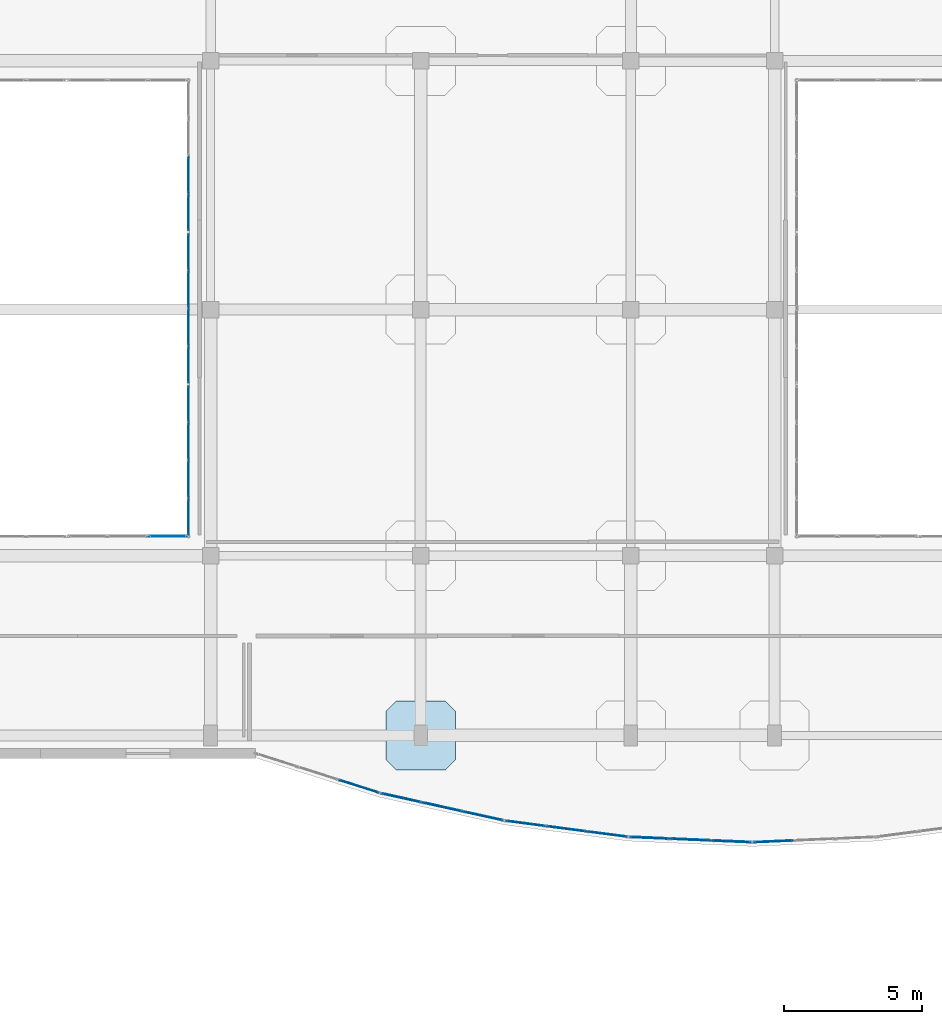
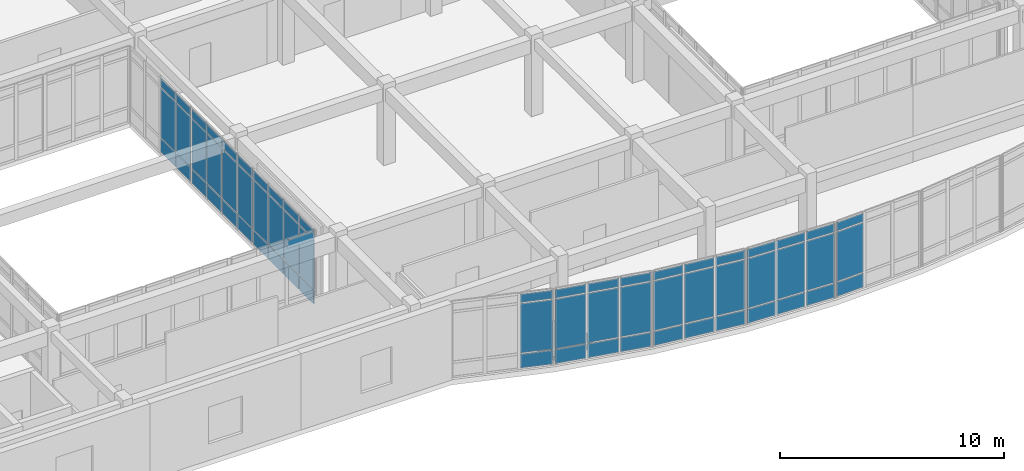
# One storey, part 111 of 142: 64 plates, 1 slab, 9 elements without a shape of their own.
"""IFC4 building model written with IfcOpenShell, lengths in metres."""

import ifcopenshell
import ifcopenshell.guid

model = None  # the IFC model being written
_history = None  # IfcOwnerHistory: only IFC2X3 demands one
_inside = {}  # id of a spatial element -> (the spatial element, [elements in it])
_under = {}  # id of a project, library or spatial element -> (it, [spatial elements below it])
_declared = {}  # id of a project -> (the project, [libraries it declares])
_typed = {}  # id of a type object -> (the type object, [elements of that type])
_made_of = {}  # id of a material, layer set ... -> (it, [elements and type objects made of it])


def new_model(schema):
    """Start an empty IFC model of exactly this schema.

    Asked for "IFC4X3", IfcOpenShell would pick the latest addendum, in which some entities
    have other attributes; the version numbers below select the first issue.
    IFC2X3 requires an IfcOwnerHistory on every rooted entity: one is made here for all.
    """
    global model, _history
    if schema == "IFC4X3":
        model = ifcopenshell.file(schema_version=(4, 3, 0, 0))
    else:
        model = ifcopenshell.file(schema=schema)
    _inside.clear()
    _under.clear()
    _declared.clear()
    _typed.clear()
    _made_of.clear()
    _history = None
    if model.schema == "IFC2X3":
        org = make("IfcOrganization", Name="unknown")
        user = make(
            "IfcPersonAndOrganization",
            ThePerson=make("IfcPerson", FamilyName="unknown"),
            TheOrganization=org,
        )
        app = make(
            "IfcApplication",
            ApplicationDeveloper=org,
            Version="unknown",
            ApplicationFullName="unknown",
            ApplicationIdentifier="unknown",
        )
        _history = make(
            "IfcOwnerHistory",
            OwningUser=user,
            OwningApplication=app,
            ChangeAction="ADDED",
            CreationDate=0,
        )
    return model


def make(cls, **values):
    """One entity of the class cls with the attributes given. An attribute that is None is left unset."""
    return model.create_entity(
        cls, **{name: value for name, value in values.items() if value is not None}
    )


def rooted(cls, **values):
    """An entity with a GlobalId (a new one), such as an element, a storey or a relation."""
    return make(cls, GlobalId=ifcopenshell.guid.new(), OwnerHistory=_history, **values)


def si_unit(unit_type, name, prefix=None):
    """IfcSIUnit, for example si_unit("LENGTHUNIT", "METRE", prefix="MILLI")."""
    return make("IfcSIUnit", UnitType=unit_type, Prefix=prefix, Name=name)


def assignment(units):
    """IfcUnitAssignment: the units of a project."""
    return None if units is None else make("IfcUnitAssignment", Units=units)


def point(xyz):
    """IfcCartesianPoint."""
    return None if xyz is None else make("IfcCartesianPoint", Coordinates=xyz)


def direction(xyz):
    """IfcDirection."""
    return None if xyz is None else make("IfcDirection", DirectionRatios=xyz)


def frame(location, z_axis=None, x_axis=None):
    """IfcAxis2Placement3D, a coordinate frame: its origin and axes. An axis left out is left unset."""
    return make(
        "IfcAxis2Placement3D",
        Location=point(location),
        Axis=direction(z_axis),
        RefDirection=direction(x_axis),
    )


def frame_2d(location, x_axis=None):
    """IfcAxis2Placement2D, a coordinate frame in the plane: its origin and x axis."""
    return make(
        "IfcAxis2Placement2D", Location=point(location), RefDirection=direction(x_axis)
    )


def origin():
    """The frame at (0, 0, 0) with its axes left unset."""
    return frame((0.0, 0.0, 0.0))


def origin_2d():
    """The frame at (0, 0) in the plane with its x axis left unset."""
    return frame_2d((0.0, 0.0))


def place(relative_to, where):
    """IfcLocalPlacement: puts the frame where relative to a parent placement (None: the world)."""
    return make(
        "IfcLocalPlacement", PlacementRelTo=relative_to, RelativePlacement=where
    )


def context(
    kind, dimensions, precision=None, world=None, true_north=None, identifier=None
):
    """IfcGeometricRepresentationContext, for example the 3D "Model" context."""
    return make(
        "IfcGeometricRepresentationContext",
        ContextIdentifier=identifier,
        ContextType=kind,
        CoordinateSpaceDimension=dimensions,
        Precision=precision,
        WorldCoordinateSystem=world,
        TrueNorth=true_north,
    )


def subcontext(parent, identifier, kind, view, scale=None):
    """IfcGeometricRepresentationSubContext, for example "Body" below "Model"."""
    return make(
        "IfcGeometricRepresentationSubContext",
        ContextIdentifier=identifier,
        ContextType=kind,
        ParentContext=parent,
        TargetScale=scale,
        TargetView=view,
    )


def project(units=None, contexts=None):
    """IfcProject with its units and contexts."""
    return rooted(
        "IfcProject",
        Name="project",
        RepresentationContexts=contexts,
        UnitsInContext=assignment(units),
    )


def spatial(cls, under=None, at=None, **own):
    """A site, building, storey or space (cls), placed at a placement, below another one or the project."""
    s = rooted(cls, ObjectPlacement=at, **own)
    if under is not None:
        _under.setdefault(under.id(), (under, []))[1].append(s)
    return s


def polyline(points):
    """IfcPolyline through the points."""
    return make("IfcPolyline", Points=[point(p) for p in points])


def profile(cls, at=None, kind="AREA", **sizes):
    """A parametric profile (cls). Its sizes go by their IFC names, for example OverallWidth=200.0."""
    return make(cls, ProfileType=kind, Position=at, **sizes)


def rectangle(**sizes):
    """IfcRectangleProfileDef."""
    return profile("IfcRectangleProfileDef", **sizes)


def outline(outer, holes=None, kind="AREA"):
    """IfcArbitraryClosedProfileDef: a profile drawn as a closed curve; with holes, ...WithVoids."""
    if holes is None:
        return make("IfcArbitraryClosedProfileDef", ProfileType=kind, OuterCurve=outer)
    return make(
        "IfcArbitraryProfileDefWithVoids",
        ProfileType=kind,
        OuterCurve=outer,
        InnerCurves=holes,
    )


def extrude(swept, where, along, depth):
    """IfcExtrudedAreaSolid: the profile swept, set in the frame where, extruded along a direction by depth."""
    return make(
        "IfcExtrudedAreaSolid",
        SweptArea=swept,
        Position=where,
        ExtrudedDirection=direction(along),
        Depth=depth,
    )


def shape(context_of_items, identifier, shape_type, items):
    """IfcShapeRepresentation: the items that make up one representation, for example the "Body"."""
    return make(
        "IfcShapeRepresentation",
        ContextOfItems=context_of_items,
        RepresentationIdentifier=identifier,
        RepresentationType=shape_type,
        Items=items,
    )


def material(Name=None, Category=None):
    """IfcMaterial."""
    return make("IfcMaterial", Name=Name, Category=Category)


def layer(
    of_material, thickness, ventilated=None, Name=None, Category=None, Priority=None
):
    """IfcMaterialLayer: one layer of a wall or slab, of a material (None: an air gap)."""
    return make(
        "IfcMaterialLayer",
        Material=of_material,
        LayerThickness=thickness,
        IsVentilated=ventilated,
        Name=Name,
        Category=Category,
        Priority=Priority,
    )


def layer_set(layers, Name=None):
    """IfcMaterialLayerSet."""
    return make("IfcMaterialLayerSet", MaterialLayers=layers, LayerSetName=Name)


def made_of(thing, what):
    """Note that an element or type object is made of a material, layer set ...; save() writes the relation."""
    if what is not None:
        _made_of.setdefault(what.id(), (what, []))[1].append(thing)
    return thing


def type_object(cls, material=None, **own):
    """A type object (cls), such as IfcWallType, which elements share."""
    return made_of(rooted(cls, **own), material)


def element(
    cls,
    number,
    at=None,
    inside=None,
    cuts=None,
    type_object=None,
    material=None,
    context=None,
    identifier="Body",
    shape_type=None,
    held_by="IfcProductDefinitionShape",
    body=None,
    shapes=None,
    **own,
):
    """One element of the class cls, such as IfcWall. Its Tag is "e" and its number.

    at: its placement. inside: the storey or other place that contains it. cuts: it is an
    opening in that element (IfcRelVoidsElement). A single representation is given by context,
    identifier, shape_type and body (its items); several are given by shapes. held_by: the class
    of the entity that holds the representations. save() writes the other relations.
    """
    e = rooted(cls, Tag="e%d" % number, ObjectPlacement=at, **own)
    if body is not None:
        shapes = [shape(context, identifier, shape_type, body)]
    if shapes is not None:
        e.Representation = make(held_by, Representations=shapes)
    if inside is not None:
        _inside.setdefault(inside.id(), (inside, []))[1].append(e)
    if cuts is not None:
        rooted(
            "IfcRelVoidsElement", RelatingBuildingElement=cuts, RelatedOpeningElement=e
        )
    if type_object is not None:
        _typed.setdefault(type_object.id(), (type_object, []))[1].append(e)
    return made_of(e, material)


def aggregate(whole, parts):
    """IfcRelAggregates: a whole, such as a stair, and the parts it consists of."""
    return rooted("IfcRelAggregates", RelatingObject=whole, RelatedObjects=parts)


def save(model, path):
    """Write the relations noted so far, then the file.

    IfcRelAggregates (storeys below a building ...), IfcRelContainedInSpatialStructure (elements
    in a storey), IfcRelDefinesByType, IfcRelAssociatesMaterial and IfcRelDeclares: one each for
    every whole, place, type object, material and project.
    """
    for whole, parts in _under.values():
        aggregate(whole, parts)
    for where, things in _inside.values():
        rooted(
            "IfcRelContainedInSpatialStructure",
            RelatedElements=things,
            RelatingStructure=where,
        )
    for kind, things in _typed.values():
        rooted("IfcRelDefinesByType", RelatedObjects=things, RelatingType=kind)
    for what, things in _made_of.values():
        rooted("IfcRelAssociatesMaterial", RelatedObjects=things, RelatingMaterial=what)
    for by, libraries in _declared.values():
        rooted("IfcRelDeclares", RelatingContext=by, RelatedDefinitions=libraries)
    model.write(path)


model = new_model("IFC4")

# Units and contexts
model_context = context("Model", 3, precision=1e-05, world=origin(), true_north=direction((0.0, 1.0)))
body_context = subcontext(model_context, "Body", "Model", "MODEL_VIEW")
ifc_project = project(units=[si_unit("LENGTHUNIT", "METRE"), si_unit("AREAUNIT", "SQUARE_METRE"), si_unit("VOLUMEUNIT", "CUBIC_METRE"), si_unit("PLANEANGLEUNIT", "RADIAN"), si_unit("MASSUNIT", "GRAM", prefix="KILO")], contexts=[model_context])

# Site, building, storey
site_placement = place(None, origin())
site = spatial("IfcSite", under=ifc_project, at=site_placement, CompositionType="ELEMENT")
building_placement = place(site_placement, origin())
building = spatial("IfcBuilding", under=site, at=building_placement, Name="Valcora Specialist Clinic", CompositionType="ELEMENT")
storey_placement = place(building_placement, frame((0.0, 0.0, 5.10009765625)))
storey = spatial("IfcBuildingStorey", under=building, at=storey_placement, Name="L01", CompositionType="ELEMENT", Elevation=5.10009765625)

# Curtain wall, plates
ifc_material_1 = material(Name="Anodized Bronze Aluminium 6063-T6", Category="aluminium")
ifc_layer_1 = layer(ifc_material_1, 0.175048828125)
ifc_layer_set_1 = layer_set([ifc_layer_1], Name="Anodized Bronze Aluminium 6063-T6")
curtain_wall_type_1 = type_object("IfcCurtainWallType", Name="TY-CW-ARC44", PredefinedType="NOTDEFINED", material=ifc_layer_set_1)
curtain_wall_1_placement = place(storey_placement, origin())
curtain_wall_1 = element("IfcCurtainWall", 1, at=curtain_wall_1_placement, inside=storey, type_object=curtain_wall_type_1, Name="Curtain wall CW-L01-056", PredefinedType="NOTDEFINED")
ifc_material_2 = material(Name="Low-E Laminated Insulating Glass", Category="glass")
ifc_layer_2 = layer(ifc_material_2, 0.028076171875)
ifc_layer_set_2 = layer_set([ifc_layer_2], Name="Low-E Laminated Insulating Glass")
plate_type_1 = type_object("IfcPlateType", Name="TY-CWP-GLZ28", PredefinedType="CURTAIN_PANEL", material=ifc_layer_set_2)
plate_1_placement = place(storey_placement, frame((111.1640625, 70.96826171875, 0.88232421875), z_axis=(0.0, 0.0, 1.0), x_axis=(-0.999061821291, -0.043306780525, 0.0)))
plate_1 = element("IfcPlate", 2, at=plate_1_placement, type_object=plate_type_1, Name="CW-ARC-44 panel 3.2", PredefinedType="CURTAIN_PANEL", context=body_context, shape_type="SweptSolid", body=[
    extrude(rectangle(XDim=1.399658203125, YDim=0.028076171875, at=origin_2d()), origin(), (0.0, 0.0, 1.0), 2.679931640625),
])
plate_2_placement = place(storey_placement, frame((111.1640625, 70.96826171875, 3.62744140625), z_axis=(0.0, 0.0, 1.0), x_axis=(-0.999061821291, -0.043306780525, 0.0)))
plate_2 = element("IfcPlate", 3, at=plate_2_placement, type_object=plate_type_1, Name="CW-ARC-44 panel 3.3", PredefinedType="CURTAIN_PANEL", context=body_context, shape_type="SweptSolid", body=[
    extrude(rectangle(XDim=1.399658203125, YDim=0.028076171875, at=origin_2d()), origin(), (0.0, 0.0, 1.0), 0.452392578125),
])

curtain_wall_2_placement = place(storey_placement, origin())
curtain_wall_2 = element("IfcCurtainWall", 4, at=curtain_wall_2_placement, inside=storey, type_object=curtain_wall_type_1, Name="Curtain wall CW-L01-058", PredefinedType="NOTDEFINED")
plate_3_placement = place(storey_placement, frame((105.149169921875, 71.229736328125, 0.88232421875), z_axis=(0.0, 0.0, 1.0), x_axis=(-0.991514060421, 0.129999492259, 0.0)))
plate_3 = element("IfcPlate", 5, at=plate_3_placement, type_object=plate_type_1, Name="CW-ARC-44 panel 1.2", PredefinedType="CURTAIN_PANEL", context=body_context, shape_type="SweptSolid", body=[
    extrude(rectangle(XDim=1.410888671875, YDim=0.028076171875, at=origin_2d()), origin(), (0.0, 0.0, 1.0), 2.679931640625),
])
plate_4_placement = place(storey_placement, frame((105.149169921875, 71.229736328125, 3.62744140625), z_axis=(0.0, 0.0, 1.0), x_axis=(-0.991514060421, 0.129999492259, 0.0)))
plate_4 = element("IfcPlate", 6, at=plate_4_placement, type_object=plate_type_1, Name="CW-ARC-44 panel 1.3", PredefinedType="CURTAIN_PANEL", context=body_context, shape_type="SweptSolid", body=[
    extrude(rectangle(XDim=1.410888671875, YDim=0.028076171875, at=origin_2d()), origin(), (0.0, 0.0, 1.0), 0.452392578125),
])
plate_5_placement = place(storey_placement, frame((103.66943359375, 71.423828125, 0.88232421875), z_axis=(0.0, 0.0, 1.0), x_axis=(-0.991514060421, 0.129999492259, 0.0)))
plate_5 = element("IfcPlate", 7, at=plate_5_placement, type_object=plate_type_1, Name="CW-ARC-44 panel 2.2", PredefinedType="CURTAIN_PANEL", context=body_context, shape_type="SweptSolid", body=[
    extrude(rectangle(XDim=1.443359375, YDim=0.028076171875, at=origin_2d()), origin(), (0.0, 0.0, 1.0), 2.679931640625),
])
plate_6_placement = place(storey_placement, frame((103.66943359375, 71.423828125, 3.62744140625), z_axis=(0.0, 0.0, 1.0), x_axis=(-0.991514060421, 0.129999492259, 0.0)))
plate_6 = element("IfcPlate", 8, at=plate_6_placement, type_object=plate_type_1, Name="CW-ARC-44 panel 2.3", PredefinedType="CURTAIN_PANEL", context=body_context, shape_type="SweptSolid", body=[
    extrude(rectangle(XDim=1.443359375, YDim=0.028076171875, at=origin_2d()), origin(), (0.0, 0.0, 1.0), 0.452392578125),
])
plate_7_placement = place(storey_placement, frame((102.18994140625, 71.61767578125, 0.88232421875), z_axis=(0.0, 0.0, 1.0), x_axis=(-0.991514060421, 0.129999492259, 0.0)))
plate_7 = element("IfcPlate", 9, at=plate_7_placement, type_object=plate_type_1, Name="CW-ARC-44 panel 3.2", PredefinedType="CURTAIN_PANEL", context=body_context, shape_type="SweptSolid", body=[
    extrude(rectangle(XDim=1.410888671875, YDim=0.028076171875, at=origin_2d()), origin(), (0.0, 0.0, 1.0), 2.679931640625),
])
plate_8_placement = place(storey_placement, frame((102.18994140625, 71.61767578125, 3.62744140625), z_axis=(0.0, 0.0, 1.0), x_axis=(-0.991514060421, 0.129999492259, 0.0)))
plate_8 = element("IfcPlate", 10, at=plate_8_placement, type_object=plate_type_1, Name="CW-ARC-44 panel 3.3", PredefinedType="CURTAIN_PANEL", context=body_context, shape_type="SweptSolid", body=[
    extrude(rectangle(XDim=1.410888671875, YDim=0.028076171875, at=origin_2d()), origin(), (0.0, 0.0, 1.0), 0.452392578125),
])

curtain_wall_3_placement = place(storey_placement, origin())
curtain_wall_3 = element("IfcCurtainWall", 11, at=curtain_wall_3_placement, inside=storey, type_object=curtain_wall_type_1, Name="Curtain wall CW-L01-060", PredefinedType="NOTDEFINED")
plate_9_placement = place(storey_placement, frame((96.1708984375, 72.95751953125, 0.88232421875), z_axis=(0.0, 0.0, 1.0), x_axis=(-0.952916356972, 0.303233270958, 0.0)))
plate_9 = element("IfcPlate", 12, at=plate_9_placement, type_object=plate_type_1, Name="CW-ARC-44 panel 1.2", PredefinedType="CURTAIN_PANEL", context=body_context, shape_type="SweptSolid", body=[
    extrude(rectangle(XDim=1.482177734375, YDim=0.028076171875, at=origin_2d()), origin(), (0.0, 0.0, 1.0), 2.679931640625),
])
plate_10_placement = place(storey_placement, frame((96.1708984375, 72.95751953125, 3.62744140625), z_axis=(0.0, 0.0, 1.0), x_axis=(-0.952916356972, 0.303233270958, 0.0)))
plate_10 = element("IfcPlate", 13, at=plate_10_placement, type_object=plate_type_1, Name="CW-ARC-44 panel 1.3", PredefinedType="CURTAIN_PANEL", context=body_context, shape_type="SweptSolid", body=[
    extrude(rectangle(XDim=1.482177734375, YDim=0.028076171875, at=origin_2d()), origin(), (0.0, 0.0, 1.0), 0.452392578125),
])

ifc_layer_3 = layer(ifc_material_1, 0.175048828125)
ifc_layer_set_3 = layer_set([ifc_layer_3], Name="Anodized Bronze Aluminium 6063-T6")
curtain_wall_type_2 = type_object("IfcCurtainWallType", Name="TY-CW-CRT15", PredefinedType="NOTDEFINED", material=ifc_layer_set_3)
curtain_wall_4_placement = place(storey_placement, origin())
curtain_wall_4 = element("IfcCurtainWall", 14, at=curtain_wall_4_placement, inside=storey, type_object=curtain_wall_type_2, Name="Curtain wall CW-L01-064", PredefinedType="NOTDEFINED")
plate_11_placement = place(storey_placement, frame((90.0, 82.703857421875, 0.88232421875), z_axis=(0.0, 0.0, 1.0), x_axis=(0.0, 1.0, 0.0)))
plate_11 = element("IfcPlate", 15, at=plate_11_placement, type_object=plate_type_1, Name="CW-CRT-15 panel 1.2", PredefinedType="CURTAIN_PANEL", context=body_context, shape_type="SweptSolid", body=[
    extrude(rectangle(XDim=1.277587890625, YDim=0.028076171875, at=origin_2d()), origin(), (0.0, 0.0, 1.0), 2.679931640625),
])
plate_12_placement = place(storey_placement, frame((90.0, 82.703857421875, 3.62744140625), z_axis=(0.0, 0.0, 1.0), x_axis=(0.0, 1.0, 0.0)))
plate_12 = element("IfcPlate", 16, at=plate_12_placement, type_object=plate_type_1, Name="CW-CRT-15 panel 1.3", PredefinedType="CURTAIN_PANEL", context=body_context, shape_type="SweptSolid", body=[
    extrude(rectangle(XDim=1.277587890625, YDim=0.028076171875, at=origin_2d()), origin(), (0.0, 0.0, 1.0), 0.452392578125),
])
plate_13_placement = place(storey_placement, frame((90.0, 84.0625, 0.88232421875), z_axis=(0.0, 0.0, 1.0), x_axis=(0.0, 1.0, 0.0)))
plate_13 = element("IfcPlate", 17, at=plate_13_placement, type_object=plate_type_1, Name="CW-CRT-15 panel 2.2", PredefinedType="CURTAIN_PANEL", context=body_context, shape_type="SweptSolid", body=[
    extrude(rectangle(XDim=1.31005859375, YDim=0.028076171875, at=origin_2d()), origin(), (0.0, 0.0, 1.0), 2.679931640625),
])
plate_14_placement = place(storey_placement, frame((90.0, 84.0625, 3.62744140625), z_axis=(0.0, 0.0, 1.0), x_axis=(0.0, 1.0, 0.0)))
plate_14 = element("IfcPlate", 18, at=plate_14_placement, type_object=plate_type_1, Name="CW-CRT-15 panel 2.3", PredefinedType="CURTAIN_PANEL", context=body_context, shape_type="SweptSolid", body=[
    extrude(rectangle(XDim=1.31005859375, YDim=0.028076171875, at=origin_2d()), origin(), (0.0, 0.0, 1.0), 0.452392578125),
])
plate_15_placement = place(storey_placement, frame((90.0, 85.4375, 0.88232421875), z_axis=(0.0, 0.0, 1.0), x_axis=(0.0, 1.0, 0.0)))
plate_15 = element("IfcPlate", 19, at=plate_15_placement, type_object=plate_type_1, Name="CW-CRT-15 panel 3.2", PredefinedType="CURTAIN_PANEL", context=body_context, shape_type="SweptSolid", body=[
    extrude(rectangle(XDim=1.31005859375, YDim=0.028076171875, at=origin_2d()), origin(), (0.0, 0.0, 1.0), 2.679931640625),
])
plate_16_placement = place(storey_placement, frame((90.0, 85.4375, 3.62744140625), z_axis=(0.0, 0.0, 1.0), x_axis=(0.0, 1.0, 0.0)))
plate_16 = element("IfcPlate", 20, at=plate_16_placement, type_object=plate_type_1, Name="CW-CRT-15 panel 3.3", PredefinedType="CURTAIN_PANEL", context=body_context, shape_type="SweptSolid", body=[
    extrude(rectangle(XDim=1.31005859375, YDim=0.028076171875, at=origin_2d()), origin(), (0.0, 0.0, 1.0), 0.452392578125),
])
plate_17_placement = place(storey_placement, frame((90.0, 86.796142578125, 0.88232421875), z_axis=(0.0, 0.0, 1.0), x_axis=(0.0, 1.0, 0.0)))
plate_17 = element("IfcPlate", 21, at=plate_17_placement, type_object=plate_type_1, Name="CW-CRT-15 panel 4.2", PredefinedType="CURTAIN_PANEL", context=body_context, shape_type="SweptSolid", body=[
    extrude(rectangle(XDim=1.277587890625, YDim=0.028076171875, at=origin_2d()), origin(), (0.0, 0.0, 1.0), 2.679931640625),
])
plate_18_placement = place(storey_placement, frame((90.0, 86.796142578125, 3.62744140625), z_axis=(0.0, 0.0, 1.0), x_axis=(0.0, 1.0, 0.0)))
plate_18 = element("IfcPlate", 22, at=plate_18_placement, type_object=plate_type_1, Name="CW-CRT-15 panel 4.3", PredefinedType="CURTAIN_PANEL", context=body_context, shape_type="SweptSolid", body=[
    extrude(rectangle(XDim=1.277587890625, YDim=0.028076171875, at=origin_2d()), origin(), (0.0, 0.0, 1.0), 0.452392578125),
])

curtain_wall_5_placement = place(storey_placement, origin())
curtain_wall_5 = element("IfcCurtainWall", 23, at=curtain_wall_5_placement, inside=storey, type_object=curtain_wall_type_2, Name="Curtain wall CW-L01-066", PredefinedType="NOTDEFINED")
plate_19_placement = place(storey_placement, frame((90.0, 93.703857421875, 0.88232421875), z_axis=(0.0, 0.0, 1.0), x_axis=(0.0, 1.0, 0.0)))
plate_19 = element("IfcPlate", 24, at=plate_19_placement, type_object=plate_type_1, Name="CW-CRT-15 panel 1.2", PredefinedType="CURTAIN_PANEL", context=body_context, shape_type="SweptSolid", body=[
    extrude(rectangle(XDim=1.277587890625, YDim=0.028076171875, at=origin_2d()), origin(), (0.0, 0.0, 1.0), 2.679931640625),
])
plate_20_placement = place(storey_placement, frame((90.0, 93.703857421875, 3.62744140625), z_axis=(0.0, 0.0, 1.0), x_axis=(0.0, 1.0, 0.0)))
plate_20 = element("IfcPlate", 25, at=plate_20_placement, type_object=plate_type_1, Name="CW-CRT-15 panel 1.3", PredefinedType="CURTAIN_PANEL", context=body_context, shape_type="SweptSolid", body=[
    extrude(rectangle(XDim=1.277587890625, YDim=0.028076171875, at=origin_2d()), origin(), (0.0, 0.0, 1.0), 0.452392578125),
])
plate_21_placement = place(storey_placement, frame((90.0, 95.0625, 0.88232421875), z_axis=(0.0, 0.0, 1.0), x_axis=(0.0, 1.0, 0.0)))
plate_21 = element("IfcPlate", 26, at=plate_21_placement, type_object=plate_type_1, Name="CW-CRT-15 panel 2.2", PredefinedType="CURTAIN_PANEL", context=body_context, shape_type="SweptSolid", body=[
    extrude(rectangle(XDim=1.31005859375, YDim=0.028076171875, at=origin_2d()), origin(), (0.0, 0.0, 1.0), 2.679931640625),
])
plate_22_placement = place(storey_placement, frame((90.0, 95.0625, 3.62744140625), z_axis=(0.0, 0.0, 1.0), x_axis=(0.0, 1.0, 0.0)))
plate_22 = element("IfcPlate", 27, at=plate_22_placement, type_object=plate_type_1, Name="CW-CRT-15 panel 2.3", PredefinedType="CURTAIN_PANEL", context=body_context, shape_type="SweptSolid", body=[
    extrude(rectangle(XDim=1.31005859375, YDim=0.028076171875, at=origin_2d()), origin(), (0.0, 0.0, 1.0), 0.452392578125),
])

curtain_wall_6_placement = place(storey_placement, origin())
curtain_wall_6 = element("IfcCurtainWall", 28, at=curtain_wall_6_placement, inside=storey, type_object=curtain_wall_type_1, Name="Curtain wall CW-L01-057", PredefinedType="NOTDEFINED")
ifc_layer_4 = layer(ifc_material_2, 0.033935546875)
ifc_layer_set_4 = layer_set([ifc_layer_4], Name="Low-E Laminated Insulating Glass")
plate_type_2 = type_object("IfcPlateType", Name="TY-CWP-GLZ34", PredefinedType="CURTAIN_PANEL", material=ifc_layer_set_4)
plate_23_placement = place(storey_placement, frame((109.635986328125, 70.96826171875, 0.88232421875), z_axis=(0.0, 0.0, 1.0), x_axis=(-0.999061821291, 0.043306780525, 0.0)))
plate_23 = element("IfcPlate", 29, at=plate_23_placement, type_object=plate_type_2, Name="CW-ARC-44 panel 1.2", PredefinedType="CURTAIN_PANEL", context=body_context, shape_type="SweptSolid", body=[
    extrude(rectangle(XDim=1.399658203125, YDim=0.033935546875, at=origin_2d()), origin(), (0.0, 0.0, 1.0), 2.679931640625),
])
plate_24_placement = place(storey_placement, frame((109.635986328125, 70.96826171875, 3.62744140625), z_axis=(0.0, 0.0, 1.0), x_axis=(-0.999061821291, 0.043306780525, 0.0)))
plate_24 = element("IfcPlate", 30, at=plate_24_placement, type_object=plate_type_2, Name="CW-ARC-44 panel 1.3", PredefinedType="CURTAIN_PANEL", context=body_context, shape_type="SweptSolid", body=[
    extrude(rectangle(XDim=1.399658203125, YDim=0.033935546875, at=origin_2d()), origin(), (0.0, 0.0, 1.0), 0.452392578125),
])
plate_25_placement = place(storey_placement, frame((108.156494140625, 71.032470703125, 0.88232421875), z_axis=(0.0, 0.0, 1.0), x_axis=(-0.999061821291, 0.043306780525, 0.0)))
plate_25 = element("IfcPlate", 31, at=plate_25_placement, type_object=plate_type_2, Name="CW-ARC-44 panel 2.2", PredefinedType="CURTAIN_PANEL", context=body_context, shape_type="SweptSolid", body=[
    extrude(rectangle(XDim=1.43212890625, YDim=0.033935546875, at=origin_2d()), origin(), (0.0, 0.0, 1.0), 2.679931640625),
])
plate_26_placement = place(storey_placement, frame((108.156494140625, 71.032470703125, 3.62744140625), z_axis=(0.0, 0.0, 1.0), x_axis=(-0.999061821291, 0.043306780525, 0.0)))
plate_26 = element("IfcPlate", 32, at=plate_26_placement, type_object=plate_type_2, Name="CW-ARC-44 panel 2.3", PredefinedType="CURTAIN_PANEL", context=body_context, shape_type="SweptSolid", body=[
    extrude(rectangle(XDim=1.43212890625, YDim=0.033935546875, at=origin_2d()), origin(), (0.0, 0.0, 1.0), 0.452392578125),
])
plate_27_placement = place(storey_placement, frame((106.677001953125, 71.096435546875, 0.88232421875), z_axis=(0.0, 0.0, 1.0), x_axis=(-0.999061821291, 0.043306780525, 0.0)))
plate_27 = element("IfcPlate", 33, at=plate_27_placement, type_object=plate_type_2, Name="CW-ARC-44 panel 3.2", PredefinedType="CURTAIN_PANEL", context=body_context, shape_type="SweptSolid", body=[
    extrude(rectangle(XDim=1.399658203125, YDim=0.033935546875, at=origin_2d()), origin(), (0.0, 0.0, 1.0), 2.679931640625),
])
plate_28_placement = place(storey_placement, frame((106.677001953125, 71.096435546875, 3.62744140625), z_axis=(0.0, 0.0, 1.0), x_axis=(-0.999061821291, 0.043306780525, 0.0)))
plate_28 = element("IfcPlate", 34, at=plate_28_placement, type_object=plate_type_2, Name="CW-ARC-44 panel 3.3", PredefinedType="CURTAIN_PANEL", context=body_context, shape_type="SweptSolid", body=[
    extrude(rectangle(XDim=1.399658203125, YDim=0.033935546875, at=origin_2d()), origin(), (0.0, 0.0, 1.0), 0.452392578125),
])

curtain_wall_7_placement = place(storey_placement, origin())
curtain_wall_7 = element("IfcCurtainWall", 35, at=curtain_wall_7_placement, inside=storey, type_object=curtain_wall_type_1, Name="Curtain wall CW-L01-059", PredefinedType="NOTDEFINED")
plate_29_placement = place(storey_placement, frame((100.662353515625, 71.88720703125, 0.88232421875), z_axis=(0.0, 0.0, 1.0), x_axis=(-0.976278614432, 0.216518052372, 0.0)))
plate_29 = element("IfcPlate", 36, at=plate_29_placement, type_object=plate_type_2, Name="CW-ARC-44 panel 1.2", PredefinedType="CURTAIN_PANEL", context=body_context, shape_type="SweptSolid", body=[
    extrude(rectangle(XDim=1.4345703125, YDim=0.033935546875, at=origin_2d()), origin(), (0.0, 0.0, 1.0), 2.679931640625),
])
plate_30_placement = place(storey_placement, frame((100.662353515625, 71.88720703125, 3.62744140625), z_axis=(0.0, 0.0, 1.0), x_axis=(-0.976278614432, 0.216518052372, 0.0)))
plate_30 = element("IfcPlate", 37, at=plate_30_placement, type_object=plate_type_2, Name="CW-ARC-44 panel 1.3", PredefinedType="CURTAIN_PANEL", context=body_context, shape_type="SweptSolid", body=[
    extrude(rectangle(XDim=1.4345703125, YDim=0.033935546875, at=origin_2d()), origin(), (0.0, 0.0, 1.0), 0.452392578125),
])
plate_31_placement = place(storey_placement, frame((99.1826171875, 72.21533203125, 0.88232421875), z_axis=(0.0, 0.0, 1.0), x_axis=(-0.976278614432, 0.216518052372, 0.0)))
plate_31 = element("IfcPlate", 38, at=plate_31_placement, type_object=plate_type_2, Name="CW-ARC-44 panel 2.2", PredefinedType="CURTAIN_PANEL", context=body_context, shape_type="SweptSolid", body=[
    extrude(rectangle(XDim=1.467041015625, YDim=0.033935546875, at=origin_2d()), origin(), (0.0, 0.0, 1.0), 2.679931640625),
])
plate_32_placement = place(storey_placement, frame((99.1826171875, 72.21533203125, 3.62744140625), z_axis=(0.0, 0.0, 1.0), x_axis=(-0.976278614432, 0.216518052372, 0.0)))
plate_32 = element("IfcPlate", 39, at=plate_32_placement, type_object=plate_type_2, Name="CW-ARC-44 panel 2.3", PredefinedType="CURTAIN_PANEL", context=body_context, shape_type="SweptSolid", body=[
    extrude(rectangle(XDim=1.467041015625, YDim=0.033935546875, at=origin_2d()), origin(), (0.0, 0.0, 1.0), 0.452392578125),
])
plate_33_placement = place(storey_placement, frame((97.702880859375, 72.543701171875, 0.88232421875), z_axis=(0.0, 0.0, 1.0), x_axis=(-0.976278614432, 0.216518052372, 0.0)))
plate_33 = element("IfcPlate", 40, at=plate_33_placement, type_object=plate_type_2, Name="CW-ARC-44 panel 3.2", PredefinedType="CURTAIN_PANEL", context=body_context, shape_type="SweptSolid", body=[
    extrude(rectangle(XDim=1.4345703125, YDim=0.033935546875, at=origin_2d()), origin(), (0.0, 0.0, 1.0), 2.679931640625),
])
plate_34_placement = place(storey_placement, frame((97.702880859375, 72.543701171875, 3.62744140625), z_axis=(0.0, 0.0, 1.0), x_axis=(-0.976278614432, 0.216518052372, 0.0)))
plate_34 = element("IfcPlate", 41, at=plate_34_placement, type_object=plate_type_2, Name="CW-ARC-44 panel 3.3", PredefinedType="CURTAIN_PANEL", context=body_context, shape_type="SweptSolid", body=[
    extrude(rectangle(XDim=1.4345703125, YDim=0.033935546875, at=origin_2d()), origin(), (0.0, 0.0, 1.0), 0.452392578125),
])

# Curtain wall, plate
curtain_wall_8_placement = place(storey_placement, origin())
curtain_wall_8 = element("IfcCurtainWall", 42, at=curtain_wall_8_placement, inside=storey, type_object=curtain_wall_type_2, Name="Curtain wall CW-L01-063", PredefinedType="NOTDEFINED")
plate_35_placement = place(storey_placement, frame((89.25048828125, 82.0, 3.62744140625), z_axis=(0.0, 0.0, 1.0), x_axis=(1.0, 0.0, 0.0)))
plate_35 = element("IfcPlate", 43, at=plate_35_placement, type_object=plate_type_2, Name="CW-CRT-15 panel 3.3", PredefinedType="CURTAIN_PANEL", context=body_context, shape_type="SweptSolid", body=[
    extrude(rectangle(XDim=1.369140625, YDim=0.033935546875, at=origin_2d()), origin(), (0.0, 0.0, 1.0), 0.452392578125),
])
aggregate(curtain_wall_8, [plate_35])

# Curtain wall, plates
curtain_wall_9_placement = place(storey_placement, origin())
curtain_wall_9 = element("IfcCurtainWall", 44, at=curtain_wall_9_placement, inside=storey, type_object=curtain_wall_type_2, Name="Curtain wall CW-L01-065", PredefinedType="NOTDEFINED")
plate_36_placement = place(storey_placement, frame((90.0, 88.203857421875, 0.88232421875), z_axis=(0.0, 0.0, 1.0), x_axis=(0.0, 1.0, 0.0)))
plate_36 = element("IfcPlate", 45, at=plate_36_placement, type_object=plate_type_2, Name="CW-CRT-15 panel 1.2", PredefinedType="CURTAIN_PANEL", context=body_context, shape_type="SweptSolid", body=[
    extrude(rectangle(XDim=1.277587890625, YDim=0.033935546875, at=origin_2d()), origin(), (0.0, 0.0, 1.0), 2.679931640625),
])
plate_37_placement = place(storey_placement, frame((90.0, 88.203857421875, 3.62744140625), z_axis=(0.0, 0.0, 1.0), x_axis=(0.0, 1.0, 0.0)))
plate_37 = element("IfcPlate", 46, at=plate_37_placement, type_object=plate_type_2, Name="CW-CRT-15 panel 1.3", PredefinedType="CURTAIN_PANEL", context=body_context, shape_type="SweptSolid", body=[
    extrude(rectangle(XDim=1.277587890625, YDim=0.033935546875, at=origin_2d()), origin(), (0.0, 0.0, 1.0), 0.452392578125),
])
plate_38_placement = place(storey_placement, frame((90.0, 89.5625, 0.88232421875), z_axis=(0.0, 0.0, 1.0), x_axis=(0.0, 1.0, 0.0)))
plate_38 = element("IfcPlate", 47, at=plate_38_placement, type_object=plate_type_2, Name="CW-CRT-15 panel 2.2", PredefinedType="CURTAIN_PANEL", context=body_context, shape_type="SweptSolid", body=[
    extrude(rectangle(XDim=1.31005859375, YDim=0.033935546875, at=origin_2d()), origin(), (0.0, 0.0, 1.0), 2.679931640625),
])
plate_39_placement = place(storey_placement, frame((90.0, 89.5625, 3.62744140625), z_axis=(0.0, 0.0, 1.0), x_axis=(0.0, 1.0, 0.0)))
plate_39 = element("IfcPlate", 48, at=plate_39_placement, type_object=plate_type_2, Name="CW-CRT-15 panel 2.3", PredefinedType="CURTAIN_PANEL", context=body_context, shape_type="SweptSolid", body=[
    extrude(rectangle(XDim=1.31005859375, YDim=0.033935546875, at=origin_2d()), origin(), (0.0, 0.0, 1.0), 0.452392578125),
])
plate_40_placement = place(storey_placement, frame((90.0, 90.9375, 0.88232421875), z_axis=(0.0, 0.0, 1.0), x_axis=(0.0, 1.0, 0.0)))
plate_40 = element("IfcPlate", 49, at=plate_40_placement, type_object=plate_type_2, Name="CW-CRT-15 panel 3.2", PredefinedType="CURTAIN_PANEL", context=body_context, shape_type="SweptSolid", body=[
    extrude(rectangle(XDim=1.31005859375, YDim=0.033935546875, at=origin_2d()), origin(), (0.0, 0.0, 1.0), 2.679931640625),
])
plate_41_placement = place(storey_placement, frame((90.0, 90.9375, 3.62744140625), z_axis=(0.0, 0.0, 1.0), x_axis=(0.0, 1.0, 0.0)))
plate_41 = element("IfcPlate", 50, at=plate_41_placement, type_object=plate_type_2, Name="CW-CRT-15 panel 3.3", PredefinedType="CURTAIN_PANEL", context=body_context, shape_type="SweptSolid", body=[
    extrude(rectangle(XDim=1.31005859375, YDim=0.033935546875, at=origin_2d()), origin(), (0.0, 0.0, 1.0), 0.452392578125),
])
plate_42_placement = place(storey_placement, frame((90.0, 92.296142578125, 0.88232421875), z_axis=(0.0, 0.0, 1.0), x_axis=(0.0, 1.0, 0.0)))
plate_42 = element("IfcPlate", 51, at=plate_42_placement, type_object=plate_type_2, Name="CW-CRT-15 panel 4.2", PredefinedType="CURTAIN_PANEL", context=body_context, shape_type="SweptSolid", body=[
    extrude(rectangle(XDim=1.277587890625, YDim=0.033935546875, at=origin_2d()), origin(), (0.0, 0.0, 1.0), 2.679931640625),
])
plate_43_placement = place(storey_placement, frame((90.0, 92.296142578125, 3.62744140625), z_axis=(0.0, 0.0, 1.0), x_axis=(0.0, 1.0, 0.0)))
plate_43 = element("IfcPlate", 52, at=plate_43_placement, type_object=plate_type_2, Name="CW-CRT-15 panel 4.3", PredefinedType="CURTAIN_PANEL", context=body_context, shape_type="SweptSolid", body=[
    extrude(rectangle(XDim=1.277587890625, YDim=0.033935546875, at=origin_2d()), origin(), (0.0, 0.0, 1.0), 0.452392578125),
])

# Plate
ifc_material_3 = material(Name="Insulated Spandrel Panel")
ifc_layer_5 = layer(ifc_material_3, 0.044921875)
ifc_layer_set_5 = layer_set([ifc_layer_5], Name="Insulated Spandrel Panel")
plate_type_3 = type_object("IfcPlateType", Name="TY-CWP-SPN45", PredefinedType="SHEET", material=ifc_layer_set_5)
plate_44_placement = place(storey_placement, frame((111.1640625, 70.96826171875, 0.06494140625), z_axis=(0.0, 0.0, 1.0), x_axis=(-0.999061821291, -0.043306780525, 0.0)))
plate_44 = element("IfcPlate", 53, at=plate_44_placement, type_object=plate_type_3, Name="CW-ARC-44 panel 3.1", PredefinedType="SHEET", context=body_context, shape_type="SweptSolid", body=[
    extrude(rectangle(XDim=1.399658203125, YDim=0.044921875, at=origin_2d()), origin(), (0.0, 0.0, 1.0), 0.75244140625),
])

aggregate(curtain_wall_1, [plate_44, plate_1, plate_2])

plate_45_placement = place(storey_placement, frame((109.635986328125, 70.96826171875, 0.06494140625), z_axis=(0.0, 0.0, 1.0), x_axis=(-0.999061821291, 0.043306780525, 0.0)))
plate_45 = element("IfcPlate", 54, at=plate_45_placement, type_object=plate_type_3, Name="CW-ARC-44 panel 1.1", PredefinedType="SHEET", context=body_context, shape_type="SweptSolid", body=[
    extrude(rectangle(XDim=1.399658203125, YDim=0.044921875, at=origin_2d()), origin(), (0.0, 0.0, 1.0), 0.75244140625),
])

plate_46_placement = place(storey_placement, frame((108.156494140625, 71.032470703125, 0.06494140625), z_axis=(0.0, 0.0, 1.0), x_axis=(-0.999061821291, 0.043306780525, 0.0)))
plate_46 = element("IfcPlate", 55, at=plate_46_placement, type_object=plate_type_3, Name="CW-ARC-44 panel 2.1", PredefinedType="SHEET", context=body_context, shape_type="SweptSolid", body=[
    extrude(rectangle(XDim=1.43212890625, YDim=0.044921875, at=origin_2d()), origin(), (0.0, 0.0, 1.0), 0.75244140625),
])

plate_47_placement = place(storey_placement, frame((106.677001953125, 71.096435546875, 0.06494140625), z_axis=(0.0, 0.0, 1.0), x_axis=(-0.999061821291, 0.043306780525, 0.0)))
plate_47 = element("IfcPlate", 56, at=plate_47_placement, type_object=plate_type_3, Name="CW-ARC-44 panel 3.1", PredefinedType="SHEET", context=body_context, shape_type="SweptSolid", body=[
    extrude(rectangle(XDim=1.399658203125, YDim=0.044921875, at=origin_2d()), origin(), (0.0, 0.0, 1.0), 0.75244140625),
])

aggregate(curtain_wall_6, [plate_45, plate_23, plate_24, plate_46, plate_25, plate_26, plate_47, plate_27, plate_28])

plate_48_placement = place(storey_placement, frame((105.149169921875, 71.229736328125, 0.06494140625), z_axis=(0.0, 0.0, 1.0), x_axis=(-0.991514060421, 0.129999492259, 0.0)))
plate_48 = element("IfcPlate", 57, at=plate_48_placement, type_object=plate_type_3, Name="CW-ARC-44 panel 1.1", PredefinedType="SHEET", context=body_context, shape_type="SweptSolid", body=[
    extrude(rectangle(XDim=1.410888671875, YDim=0.044921875, at=origin_2d()), origin(), (0.0, 0.0, 1.0), 0.75244140625),
])

plate_49_placement = place(storey_placement, frame((103.66943359375, 71.423828125, 0.06494140625), z_axis=(0.0, 0.0, 1.0), x_axis=(-0.991514060421, 0.129999492259, 0.0)))
plate_49 = element("IfcPlate", 58, at=plate_49_placement, type_object=plate_type_3, Name="CW-ARC-44 panel 2.1", PredefinedType="SHEET", context=body_context, shape_type="SweptSolid", body=[
    extrude(rectangle(XDim=1.443359375, YDim=0.044921875, at=origin_2d()), origin(), (0.0, 0.0, 1.0), 0.75244140625),
])

plate_50_placement = place(storey_placement, frame((102.18994140625, 71.61767578125, 0.06494140625), z_axis=(0.0, 0.0, 1.0), x_axis=(-0.991514060421, 0.129999492259, 0.0)))
plate_50 = element("IfcPlate", 59, at=plate_50_placement, type_object=plate_type_3, Name="CW-ARC-44 panel 3.1", PredefinedType="SHEET", context=body_context, shape_type="SweptSolid", body=[
    extrude(rectangle(XDim=1.410888671875, YDim=0.044921875, at=origin_2d()), origin(), (0.0, 0.0, 1.0), 0.75244140625),
])

aggregate(curtain_wall_2, [plate_48, plate_3, plate_4, plate_49, plate_5, plate_6, plate_50, plate_7, plate_8])

plate_51_placement = place(storey_placement, frame((100.662353515625, 71.88720703125, 0.06494140625), z_axis=(0.0, 0.0, 1.0), x_axis=(-0.976278614432, 0.216518052372, 0.0)))
plate_51 = element("IfcPlate", 60, at=plate_51_placement, type_object=plate_type_3, Name="CW-ARC-44 panel 1.1", PredefinedType="SHEET", context=body_context, shape_type="SweptSolid", body=[
    extrude(rectangle(XDim=1.4345703125, YDim=0.044921875, at=origin_2d()), origin(), (0.0, 0.0, 1.0), 0.75244140625),
])

plate_52_placement = place(storey_placement, frame((99.1826171875, 72.21533203125, 0.06494140625), z_axis=(0.0, 0.0, 1.0), x_axis=(-0.976278614432, 0.216518052372, 0.0)))
plate_52 = element("IfcPlate", 61, at=plate_52_placement, type_object=plate_type_3, Name="CW-ARC-44 panel 2.1", PredefinedType="SHEET", context=body_context, shape_type="SweptSolid", body=[
    extrude(rectangle(XDim=1.467041015625, YDim=0.044921875, at=origin_2d()), origin(), (0.0, 0.0, 1.0), 0.75244140625),
])

plate_53_placement = place(storey_placement, frame((97.702880859375, 72.543701171875, 0.06494140625), z_axis=(0.0, 0.0, 1.0), x_axis=(-0.976278614432, 0.216518052372, 0.0)))
plate_53 = element("IfcPlate", 62, at=plate_53_placement, type_object=plate_type_3, Name="CW-ARC-44 panel 3.1", PredefinedType="SHEET", context=body_context, shape_type="SweptSolid", body=[
    extrude(rectangle(XDim=1.4345703125, YDim=0.044921875, at=origin_2d()), origin(), (0.0, 0.0, 1.0), 0.75244140625),
])

aggregate(curtain_wall_7, [plate_51, plate_29, plate_30, plate_52, plate_31, plate_32, plate_53, plate_33, plate_34])

plate_54_placement = place(storey_placement, frame((96.1708984375, 72.95751953125, 0.06494140625), z_axis=(0.0, 0.0, 1.0), x_axis=(-0.952916356972, 0.303233270958, 0.0)))
plate_54 = element("IfcPlate", 63, at=plate_54_placement, type_object=plate_type_3, Name="CW-ARC-44 panel 1.1", PredefinedType="SHEET", context=body_context, shape_type="SweptSolid", body=[
    extrude(rectangle(XDim=1.482177734375, YDim=0.044921875, at=origin_2d()), origin(), (0.0, 0.0, 1.0), 0.75244140625),
])

aggregate(curtain_wall_3, [plate_54, plate_9, plate_10])

plate_55_placement = place(storey_placement, frame((90.0, 82.703857421875, 0.06494140625), z_axis=(0.0, 0.0, 1.0), x_axis=(0.0, 1.0, 0.0)))
plate_55 = element("IfcPlate", 64, at=plate_55_placement, type_object=plate_type_3, Name="CW-CRT-15 panel 1.1", PredefinedType="SHEET", context=body_context, shape_type="SweptSolid", body=[
    extrude(rectangle(XDim=1.277587890625, YDim=0.044921875, at=origin_2d()), origin(), (0.0, 0.0, 1.0), 0.75244140625),
])

plate_56_placement = place(storey_placement, frame((90.0, 84.0625, 0.06494140625), z_axis=(0.0, 0.0, 1.0), x_axis=(0.0, 1.0, 0.0)))
plate_56 = element("IfcPlate", 65, at=plate_56_placement, type_object=plate_type_3, Name="CW-CRT-15 panel 2.1", PredefinedType="SHEET", context=body_context, shape_type="SweptSolid", body=[
    extrude(rectangle(XDim=1.31005859375, YDim=0.044921875, at=origin_2d()), origin(), (0.0, 0.0, 1.0), 0.75244140625),
])

plate_57_placement = place(storey_placement, frame((90.0, 85.4375, 0.06494140625), z_axis=(0.0, 0.0, 1.0), x_axis=(0.0, 1.0, 0.0)))
plate_57 = element("IfcPlate", 66, at=plate_57_placement, type_object=plate_type_3, Name="CW-CRT-15 panel 3.1", PredefinedType="SHEET", context=body_context, shape_type="SweptSolid", body=[
    extrude(rectangle(XDim=1.31005859375, YDim=0.044921875, at=origin_2d()), origin(), (0.0, 0.0, 1.0), 0.75244140625),
])

plate_58_placement = place(storey_placement, frame((90.0, 86.796142578125, 0.06494140625), z_axis=(0.0, 0.0, 1.0), x_axis=(0.0, 1.0, 0.0)))
plate_58 = element("IfcPlate", 67, at=plate_58_placement, type_object=plate_type_3, Name="CW-CRT-15 panel 4.1", PredefinedType="SHEET", context=body_context, shape_type="SweptSolid", body=[
    extrude(rectangle(XDim=1.277587890625, YDim=0.044921875, at=origin_2d()), origin(), (0.0, 0.0, 1.0), 0.75244140625),
])

aggregate(curtain_wall_4, [plate_55, plate_11, plate_12, plate_56, plate_13, plate_14, plate_57, plate_15, plate_16, plate_58, plate_17, plate_18])

plate_59_placement = place(storey_placement, frame((90.0, 88.203857421875, 0.06494140625), z_axis=(0.0, 0.0, 1.0), x_axis=(0.0, 1.0, 0.0)))
plate_59 = element("IfcPlate", 68, at=plate_59_placement, type_object=plate_type_3, Name="CW-CRT-15 panel 1.1", PredefinedType="SHEET", context=body_context, shape_type="SweptSolid", body=[
    extrude(rectangle(XDim=1.277587890625, YDim=0.044921875, at=origin_2d()), origin(), (0.0, 0.0, 1.0), 0.75244140625),
])

plate_60_placement = place(storey_placement, frame((90.0, 89.5625, 0.06494140625), z_axis=(0.0, 0.0, 1.0), x_axis=(0.0, 1.0, 0.0)))
plate_60 = element("IfcPlate", 69, at=plate_60_placement, type_object=plate_type_3, Name="CW-CRT-15 panel 2.1", PredefinedType="SHEET", context=body_context, shape_type="SweptSolid", body=[
    extrude(rectangle(XDim=1.31005859375, YDim=0.044921875, at=origin_2d()), origin(), (0.0, 0.0, 1.0), 0.75244140625),
])

plate_61_placement = place(storey_placement, frame((90.0, 90.9375, 0.06494140625), z_axis=(0.0, 0.0, 1.0), x_axis=(0.0, 1.0, 0.0)))
plate_61 = element("IfcPlate", 70, at=plate_61_placement, type_object=plate_type_3, Name="CW-CRT-15 panel 3.1", PredefinedType="SHEET", context=body_context, shape_type="SweptSolid", body=[
    extrude(rectangle(XDim=1.31005859375, YDim=0.044921875, at=origin_2d()), origin(), (0.0, 0.0, 1.0), 0.75244140625),
])

plate_62_placement = place(storey_placement, frame((90.0, 92.296142578125, 0.06494140625), z_axis=(0.0, 0.0, 1.0), x_axis=(0.0, 1.0, 0.0)))
plate_62 = element("IfcPlate", 71, at=plate_62_placement, type_object=plate_type_3, Name="CW-CRT-15 panel 4.1", PredefinedType="SHEET", context=body_context, shape_type="SweptSolid", body=[
    extrude(rectangle(XDim=1.277587890625, YDim=0.044921875, at=origin_2d()), origin(), (0.0, 0.0, 1.0), 0.75244140625),
])

aggregate(curtain_wall_9, [plate_59, plate_36, plate_37, plate_60, plate_38, plate_39, plate_61, plate_40, plate_41, plate_62, plate_42, plate_43])

plate_63_placement = place(storey_placement, frame((90.0, 93.703857421875, 0.06494140625), z_axis=(0.0, 0.0, 1.0), x_axis=(0.0, 1.0, 0.0)))
plate_63 = element("IfcPlate", 72, at=plate_63_placement, type_object=plate_type_3, Name="CW-CRT-15 panel 1.1", PredefinedType="SHEET", context=body_context, shape_type="SweptSolid", body=[
    extrude(rectangle(XDim=1.277587890625, YDim=0.044921875, at=origin_2d()), origin(), (0.0, 0.0, 1.0), 0.75244140625),
])

plate_64_placement = place(storey_placement, frame((90.0, 95.0625, 0.06494140625), z_axis=(0.0, 0.0, 1.0), x_axis=(0.0, 1.0, 0.0)))
plate_64 = element("IfcPlate", 73, at=plate_64_placement, type_object=plate_type_3, Name="CW-CRT-15 panel 2.1", PredefinedType="SHEET", context=body_context, shape_type="SweptSolid", body=[
    extrude(rectangle(XDim=1.31005859375, YDim=0.044921875, at=origin_2d()), origin(), (0.0, 0.0, 1.0), 0.75244140625),
])

aggregate(curtain_wall_5, [plate_63, plate_19, plate_20, plate_64, plate_21, plate_22])

# Slab
ifc_material_4 = material(Name="Concrete C40/50", Category="concrete")
ifc_layer_6 = layer(ifc_material_4, 0.18994140625)
ifc_layer_set_6 = layer_set([ifc_layer_6], Name="Concrete C40/50")
slab_type = type_object("IfcSlabType", Name="TY-SL-DP190", PredefinedType="FLOOR", material=ifc_layer_set_6)
slab_placement = place(storey_placement, frame((0.0, 0.0, -0.47998046875)))
element("IfcSlab", 74, at=slab_placement, inside=storey, type_object=slab_type, Name="V4 column drop panel SL-L01-036", PredefinedType="FLOOR", context=body_context, shape_type="SweptSolid", body=[
    extrude(outline(polyline([(97.52001953125, 73.550048828125), (99.280029296875, 73.550048828125), (99.64990234375, 73.919921875), (99.64990234375, 75.679931640625), (99.280029296875, 76.050048828125), (97.52001953125, 76.050048828125), (97.14990234375, 75.679931640625), (97.14990234375, 73.919921875), (97.52001953125, 73.550048828125)])), origin(), (0.0, 0.0, 1.0), 0.18994140625),
])

save(model, "model.ifc")
